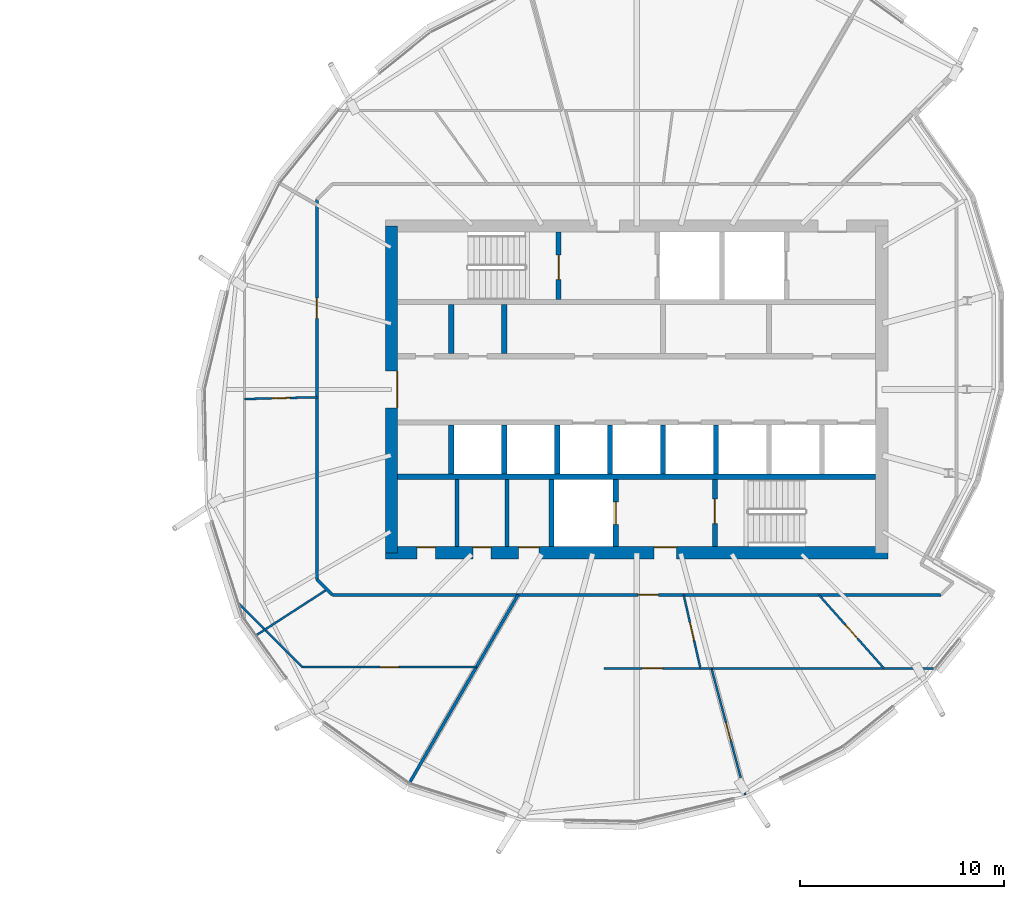
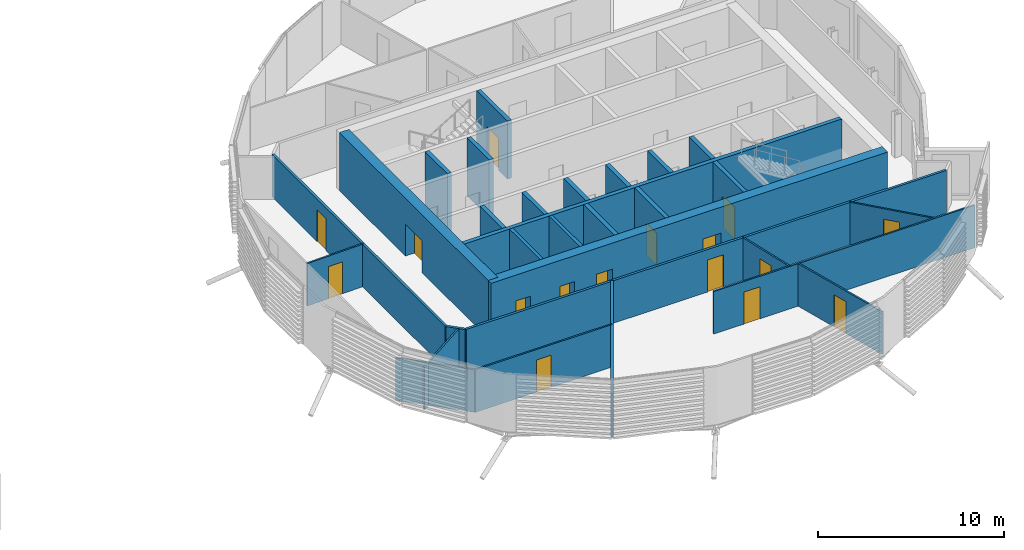
# One storey, part 22 of 37: 30 walls, 16 doors, 16 openings.
"""IFC4 building model written with IfcOpenShell, lengths in metres."""

from ifc_helpers import new_model, si_unit, direction, frame, frame_2d, origin, place, context, subcontext, project, spatial, rectangle, extrude, material, layer, layer_set, type_object, element, fill, save


model = new_model("IFC4")

# Units and contexts
model_context = context("Model", 3, precision=1e-05, world=origin(), true_north=direction((0.0, 1.0)))
body_context = subcontext(model_context, "Body", "Model", "MODEL_VIEW")
ifc_project = project(units=[si_unit("LENGTHUNIT", "METRE"), si_unit("AREAUNIT", "SQUARE_METRE"), si_unit("VOLUMEUNIT", "CUBIC_METRE"), si_unit("PLANEANGLEUNIT", "RADIAN"), si_unit("MASSUNIT", "GRAM", prefix="KILO")], contexts=[model_context])

# Site, building, storey
site_placement = place(None, origin())
site = spatial("IfcSite", under=ifc_project, at=site_placement, CompositionType="ELEMENT")
building_placement = place(site_placement, origin())
building = spatial("IfcBuilding", under=site, at=building_placement, Name="Rimbun Link Towers", CompositionType="ELEMENT")
storey_placement = place(building_placement, frame((0.0, 0.0, 162.699951171875)))
storey = spatial("IfcBuildingStorey", under=building, at=storey_placement, Name="L39", CompositionType="ELEMENT", Elevation=162.699951171875)

# Walls
ifc_material_1 = material(Name="Masonry blockwork", Category="masonry")
ifc_layer_1 = layer(ifc_material_1, 0.199951171875)
ifc_layer_set_1 = layer_set([ifc_layer_1], Name="Core partition 200")
wall_type_1 = type_object("IfcWallType", Name="Core partition 200", PredefinedType="PARTITIONING", material=ifc_layer_set_1)
for number, where, z_axis, x_axis, name in (
    (1, (22.949951171875, -4.39990234375, 0.0), (0.0, 0.0, 1.0), (0.0, -1.0, 0.0), "L39 T2 core wall C1"),
    (2, (25.39990234375, -4.39990234375, 0.0), (0.0, 0.0, 1.0), (0.0, -1.0, 0.0), "L39 T2 core wall C2"),
):
    element("IfcWall", number, at=place(storey_placement, frame(where, z_axis=z_axis, x_axis=x_axis)), inside=storey, type_object=wall_type_1, Name=name, PredefinedType="PARTITIONING", context=body_context, shape_type="SweptSolid", body=[
        extrude(rectangle(XDim=3.300048828125, YDim=0.199951171875, at=frame_2d((1.64990234375, 0.0))), origin(), (0.0, 0.0, 1.0), 3.800048828125),
    ])

# Wall, openings, doors
ifc_material_2 = material(Name="Concrete C60/75", Category="concrete")
ifc_layer_2 = layer(ifc_material_2, 0.60009765625)
ifc_layer_set_2 = layer_set([ifc_layer_2], Name="Core shear wall 600")
wall_type_2 = type_object("IfcWallType", Name="Core shear wall 600", PredefinedType="SHEAR", material=ifc_layer_set_2)
wall_1_placement = place(storey_placement, frame((19.449951171875, -8.0, 0.0), z_axis=(0.0, 0.0, 1.0), x_axis=(1.0, 0.0, 0.0)))
wall_1 = element("IfcWall", 3, at=wall_1_placement, inside=storey, type_object=wall_type_2, Name="L39 T2 core wall S", PredefinedType="SHEAR", context=body_context, shape_type="SweptSolid", body=[
    extrude(rectangle(XDim=24.60009765625, YDim=0.60009765625, at=frame_2d((12.300048828125, 0.0))), origin(), (0.0, 0.0, 1.0), 3.800048828125),
])
opening_1_placement = place(wall_1_placement, frame((13.14990234375, 0.0, 0.0)))
opening_1 = element("IfcOpeningElement", 4, at=opening_1_placement, cuts=wall_1, Name="Opening C2DCF01S", PredefinedType="OPENING", context=body_context, shape_type="SweptSolid", body=[
    extrude(rectangle(XDim=1.10009765625, YDim=2.10009765625, at=frame_2d((0.550048828125, 1.050048828125))), frame((0.0, 0.31005859375, 0.0), z_axis=(0.0, -1.0, 0.0), x_axis=(1.0, 0.0, 0.0)), (0.0, 0.0, 1.0), 0.6201171875),
])
opening_2_placement = place(wall_1_placement, frame((1.550048828125, 0.0, 0.0)))
opening_2 = element("IfcOpeningElement", 5, at=opening_2_placement, cuts=wall_1, Name="Opening C2DWC02S", PredefinedType="OPENING", context=body_context, shape_type="SweptSolid", body=[
    extrude(rectangle(XDim=0.89990234375, YDim=2.10009765625, at=frame_2d((0.449951171875, 1.050048828125))), frame((0.0, 0.31005859375, 0.0), z_axis=(0.0, -1.0, 0.0), x_axis=(1.0, 0.0, 0.0)), (0.0, 0.0, 1.0), 0.6201171875),
])
opening_3_placement = place(wall_1_placement, frame((4.27490234375, 0.0, 0.0)))
opening_3 = element("IfcOpeningElement", 6, at=opening_3_placement, cuts=wall_1, Name="Opening C2DWC03S", PredefinedType="OPENING", context=body_context, shape_type="SweptSolid", body=[
    extrude(rectangle(XDim=0.89990234375, YDim=2.10009765625, at=frame_2d((0.449951171875, 1.050048828125))), frame((0.0, 0.31005859375, 0.0), z_axis=(0.0, -1.0, 0.0), x_axis=(1.0, 0.0, 0.0)), (0.0, 0.0, 1.0), 0.6201171875),
])
opening_4_placement = place(wall_1_placement, frame((6.52490234375, 0.0, 0.0)))
opening_4 = element("IfcOpeningElement", 7, at=opening_4_placement, cuts=wall_1, Name="Opening C2DAW04S", PredefinedType="OPENING", context=body_context, shape_type="SweptSolid", body=[
    extrude(rectangle(XDim=1.0, YDim=2.10009765625, at=frame_2d((0.5, 1.050048828125))), frame((0.0, 0.31005859375, 0.0), z_axis=(0.0, -1.0, 0.0), x_axis=(1.0, 0.0, 0.0)), (0.0, 0.0, 1.0), 0.6201171875),
])
ifc_material_3 = material(Name="Timber", Category="wood")
door_type_1 = type_object("IfcDoorType", Name="Accessible WC door", OperationType="SINGLE_SWING_LEFT", PredefinedType="DOOR", material=ifc_material_3)
door_1_placement = place(opening_4_placement, origin())
door_1 = element("IfcDoor", 8, at=door_1_placement, inside=storey, type_object=door_type_1, Name="L39 T2 accessible wc door", OperationType="SINGLE_SWING_RIGHT", OverallHeight=2.10009765625, OverallWidth=1.0, PredefinedType="DOOR", context=body_context, shape_type="SweptSolid", body=[
    extrude(rectangle(XDim=1.0, YDim=2.10009765625, at=frame_2d((0.5, 1.050048828125))), frame((0.0, 0.2998046875, 0.0), z_axis=(0.0, -1.0, 0.0), x_axis=(1.0, 0.0, 0.0)), (0.0, 0.0, 1.0), 0.050048828125),
])
fill(opening_4, door_1)
ifc_material_4 = material(Name="Steel fire door set", Category="steel")
door_type_2 = type_object("IfcDoorType", Name="Core fire door single", OperationType="SINGLE_SWING_LEFT", PredefinedType="DOOR", material=ifc_material_4)
door_2_placement = place(opening_1_placement, origin())
door_2 = element("IfcDoor", 9, at=door_2_placement, inside=storey, type_object=door_type_2, Name="L39 T2 firefighting lobby s door", OperationType="SINGLE_SWING_RIGHT", OverallHeight=2.10009765625, OverallWidth=1.10009765625, PredefinedType="DOOR", context=body_context, shape_type="SweptSolid", body=[
    extrude(rectangle(XDim=1.10009765625, YDim=2.10009765625, at=frame_2d((0.550048828125, 1.050048828125))), frame((0.0, 0.2998046875, 0.0), z_axis=(0.0, -1.0, 0.0), x_axis=(1.0, 0.0, 0.0)), (0.0, 0.0, 1.0), 0.050048828125),
])
fill(opening_1, door_2)
ifc_material_5 = material(Name="Timber", Category="wood")
door_type_3 = type_object("IfcDoorType", Name="WC door", OperationType="SINGLE_SWING_LEFT", PredefinedType="DOOR", material=ifc_material_5)
door_3_placement = place(opening_2_placement, origin())
door_3 = element("IfcDoor", 10, at=door_3_placement, inside=storey, type_object=door_type_3, Name="L39 T2 male wc door", OperationType="SINGLE_SWING_LEFT", OverallHeight=2.10009765625, OverallWidth=0.89990234375, PredefinedType="DOOR", context=body_context, shape_type="SweptSolid", body=[
    extrude(rectangle(XDim=0.89990234375, YDim=2.10009765625, at=frame_2d((0.449951171875, 1.050048828125))), frame((0.0, 0.2998046875, 0.0), z_axis=(0.0, -1.0, 0.0), x_axis=(1.0, 0.0, 0.0)), (0.0, 0.0, 1.0), 0.050048828125),
])
fill(opening_2, door_3)
door_4_placement = place(opening_3_placement, origin())
door_4 = element("IfcDoor", 11, at=door_4_placement, inside=storey, type_object=door_type_3, Name="L39 T2 female wc door", OperationType="SINGLE_SWING_RIGHT", OverallHeight=2.10009765625, OverallWidth=0.89990234375, PredefinedType="DOOR", context=body_context, shape_type="SweptSolid", body=[
    extrude(rectangle(XDim=0.89990234375, YDim=2.10009765625, at=frame_2d((0.449951171875, 1.050048828125))), frame((0.0, 0.2998046875, 0.0), z_axis=(0.0, -1.0, 0.0), x_axis=(1.0, 0.0, 0.0)), (0.0, 0.0, 1.0), 0.050048828125),
])
fill(opening_3, door_4)

# Wall, opening, door
wall_2_placement = place(storey_placement, frame((19.75, -8.0, 0.0), z_axis=(0.0, 0.0, 1.0), x_axis=(0.0, 1.0, 0.0)))
wall_2 = element("IfcWall", 12, at=wall_2_placement, inside=storey, type_object=wall_type_2, Name="L39 T2 core wall W", PredefinedType="SHEAR", context=body_context, shape_type="SweptSolid", body=[
    extrude(rectangle(XDim=16.0, YDim=0.60009765625, at=frame_2d((8.0, 0.0))), origin(), (0.0, 0.0, 1.0), 3.800048828125),
])
opening_5_placement = place(wall_2_placement, frame((7.10009765625, 0.0, 0.0)))
opening_5 = element("IfcOpeningElement", 13, at=opening_5_placement, cuts=wall_2, Name="Opening C2DCL01W", PredefinedType="OPENING", context=body_context, shape_type="SweptSolid", body=[
    extrude(rectangle(XDim=1.800048828125, YDim=2.10009765625, at=frame_2d((0.89990234375, 1.050048828125))), frame((0.0, 0.31005859375, 0.0), z_axis=(0.0, -1.0, 0.0), x_axis=(1.0, 0.0, 0.0)), (0.0, 0.0, 1.0), 0.6201171875),
])
ifc_material_6 = material(Name="Steel fire door set", Category="steel")
door_type_4 = type_object("IfcDoorType", Name="Core lobby door double", OperationType="DOUBLE_DOOR_SINGLE_SWING", PredefinedType="DOOR", material=ifc_material_6)
door_5_placement = place(opening_5_placement, origin())
door_5 = element("IfcDoor", 14, at=door_5_placement, inside=storey, type_object=door_type_4, Name="L39 T2 lift lobby door", OperationType="DOUBLE_DOOR_SINGLE_SWING", OverallHeight=2.10009765625, OverallWidth=1.800048828125, PredefinedType="DOOR", context=body_context, shape_type="SweptSolid", body=[
    extrude(rectangle(XDim=1.800048828125, YDim=2.10009765625, at=frame_2d((0.89990234375, 1.050048828125))), frame((0.0, -0.25, 0.0), z_axis=(0.0, -1.0, 0.0), x_axis=(1.0, 0.0, 0.0)), (0.0, 0.0, 1.0), 0.050048828125),
])
fill(opening_5, door_5)

ifc_material_7 = material(Name="Plasterboard on steel stud, mineral wool", Category="steel")
ifc_layer_3 = layer(ifc_material_7, 0.14990234375)
ifc_layer_set_3 = layer_set([ifc_layer_3], Name="Corridor wall EI 30 150 mm")
wall_type_3 = type_object("IfcWallType", Name="Corridor wall EI 30 150 mm", PredefinedType="PARTITIONING", material=ifc_layer_set_3)
wall_3_placement = place(storey_placement, frame((46.643798828125, -10.054931640625, 0.0), z_axis=(0.0, 0.0, 1.0), x_axis=(-1.0, 0.0, 0.0)))
wall_3 = element("IfcWall", 15, at=wall_3_placement, inside=storey, type_object=wall_type_3, Name="Corridor wall EI 30 150 mm", PredefinedType="PARTITIONING", context=body_context, shape_type="SweptSolid", body=[
    extrude(rectangle(XDim=29.78759765625, YDim=0.14990234375, at=frame_2d((14.893798828125, 0.0))), origin(), (0.0, 0.0, 1.0), 2.7890625),
])
opening_6_placement = place(wall_3_placement, frame((13.826416015625, 0.0, 0.0)))
opening_6 = element("IfcOpeningElement", 16, at=opening_6_placement, cuts=wall_3, Name="Opening D01", PredefinedType="OPENING", context=body_context, shape_type="SweptSolid", body=[
    extrude(rectangle(XDim=1.0, YDim=2.10009765625, at=frame_2d((0.5, 1.050048828125))), frame((0.0, 0.0849609375, 0.0), z_axis=(0.0, -1.0, 0.0), x_axis=(1.0, 0.0, 0.0)), (0.0, 0.0, 1.0), 0.169921875),
])
ifc_material_8 = material(Name="Fire-resisting timber door leaf", Category="wood")
door_type_5 = type_object("IfcDoorType", Name="Fire door FD30S 1000", OperationType="NOTDEFINED", PredefinedType="DOOR", material=ifc_material_8)
door_6_placement = place(opening_6_placement, origin())
door_6 = element("IfcDoor", 17, at=door_6_placement, inside=storey, type_object=door_type_5, Name="Fire door FD30S 1000 to Tenant lobby", OperationType="SINGLE_SWING_RIGHT", OverallHeight=2.10009765625, OverallWidth=1.0, PredefinedType="DOOR", context=body_context, shape_type="SweptSolid", body=[
    extrude(rectangle(XDim=1.0, YDim=2.10009765625, at=frame_2d((0.5, 1.050048828125))), frame((0.0, 0.02490234375, 0.0), z_axis=(0.0, -1.0, 0.0), x_axis=(1.0, 0.0, 0.0)), (0.0, 0.0, 1.0), 0.050048828125),
])
fill(opening_6, door_6)

# Wall
wall_4_placement = place(storey_placement, frame((16.094970703125, -9.293701171875, 0.0), z_axis=(0.0, 0.0, 1.0), x_axis=(0.707106781187, -0.707106781187, 0.0)))
element("IfcWall", 18, at=wall_4_placement, inside=storey, type_object=wall_type_3, Name="Corridor wall EI 30 150 mm", PredefinedType="PARTITIONING", context=body_context, shape_type="SweptSolid", body=[
    extrude(rectangle(XDim=1.07666015625, YDim=0.14990234375, at=frame_2d((0.538330078125, 0.0))), origin(), (0.0, 0.0, 1.0), 2.7890625),
])

# Wall, opening, door
wall_5_placement = place(storey_placement, frame((16.094970703125, -9.293701171875, 0.0), z_axis=(0.0, 0.0, 1.0), x_axis=(0.0, 1.0, 0.0)))
wall_5 = element("IfcWall", 19, at=wall_5_placement, inside=storey, type_object=wall_type_3, Name="Corridor wall EI 30 150 mm", PredefinedType="PARTITIONING", context=body_context, shape_type="SweptSolid", body=[
    extrude(rectangle(XDim=18.58740234375, YDim=0.14990234375, at=frame_2d((9.293701171875, 0.0))), origin(), (0.0, 0.0, 1.0), 2.7890625),
])
opening_7_placement = place(wall_5_placement, frame((12.767333984375, 0.0, 0.0)))
opening_7 = element("IfcOpeningElement", 20, at=opening_7_placement, cuts=wall_5, Name="Opening D01", PredefinedType="OPENING", context=body_context, shape_type="SweptSolid", body=[
    extrude(rectangle(XDim=1.0, YDim=2.10009765625, at=frame_2d((0.5, 1.050048828125))), frame((0.0, 0.0849609375, 0.0), z_axis=(0.0, -1.0, 0.0), x_axis=(1.0, 0.0, 0.0)), (0.0, 0.0, 1.0), 0.169921875),
])
door_7_placement = place(opening_7_placement, origin())
door_7 = element("IfcDoor", 21, at=door_7_placement, inside=storey, type_object=door_type_5, Name="Fire door FD30S 1000 to Tenant lobby", OperationType="SINGLE_SWING_LEFT", OverallHeight=2.10009765625, OverallWidth=1.0, PredefinedType="DOOR", context=body_context, shape_type="SweptSolid", body=[
    extrude(rectangle(XDim=1.0, YDim=2.10009765625, at=frame_2d((0.5, 1.050048828125))), frame((0.0, 0.02490234375, 0.0), z_axis=(0.0, -1.0, 0.0), x_axis=(1.0, 0.0, 0.0)), (0.0, 0.0, 1.0), 0.050048828125),
])
fill(opening_7, door_7)

ifc_material_9 = material(Name="Plasterboard on steel stud", Category="steel")
ifc_layer_4 = layer(ifc_material_9, 0.10009765625)
ifc_layer_set_4 = layer_set([ifc_layer_4], Name="Plasterboard partition 100 mm")
wall_type_4 = type_object("IfcWallType", Name="Plasterboard partition 100 mm", PredefinedType="PARTITIONING", material=ifc_layer_set_4)
wall_6_placement = place(storey_placement, frame((16.094970703125, -0.382568359375, 0.0), z_axis=(0.0, 0.0, 1.0), x_axis=(-0.999702116508, -0.024406520638, 0.0)))
wall_6 = element("IfcWall", 22, at=wall_6_placement, inside=storey, type_object=wall_type_4, Name="Plasterboard partition 100 mm", PredefinedType="PARTITIONING", context=body_context, shape_type="SweptSolid", body=[
    extrude(rectangle(XDim=3.541015625, YDim=0.10009765625, at=frame_2d((1.7705078125, 0.0))), origin(), (0.0, 0.0, 1.0), 2.7890625),
])
opening_8_placement = place(wall_6_placement, frame((1.320556640625, 0.0, 0.0)))
opening_8 = element("IfcOpeningElement", 23, at=opening_8_placement, cuts=wall_6, Name="Opening D04", PredefinedType="OPENING", context=body_context, shape_type="SweptSolid", body=[
    extrude(rectangle(XDim=0.89990234375, YDim=2.10009765625, at=frame_2d((0.449951171875, 1.050048828125))), frame((0.0, 0.06005859375, 0.0), z_axis=(0.0, -1.0, 0.0), x_axis=(1.0, 0.0, 0.0)), (0.0, 0.0, 1.0), 0.1201171875),
])
ifc_material_10 = material(Name="Timber door leaf", Category="wood")
door_type_6 = type_object("IfcDoorType", Name="Flush door 900", OperationType="NOTDEFINED", PredefinedType="DOOR", material=ifc_material_10)
door_8_placement = place(opening_8_placement, origin())
door_8 = element("IfcDoor", 24, at=door_8_placement, inside=storey, type_object=door_type_6, Name="Flush door 900 to Data room", OperationType="SINGLE_SWING_LEFT", OverallHeight=2.10009765625, OverallWidth=0.89990234375, PredefinedType="DOOR", context=body_context, shape_type="SweptSolid", body=[
    extrude(rectangle(XDim=0.89990234375, YDim=2.10009765625, at=frame_2d((0.449951171875, 1.050048828125))), frame((0.0, 0.02490234375, 0.0), z_axis=(0.0, -1.0, 0.0), x_axis=(1.0, 0.0, 0.0)), (0.0, 0.0, 1.0), 0.050048828125),
])
fill(opening_8, door_8)

# Walls
wall_7_placement = place(storey_placement, frame((13.1201171875, -12.036376953125, 0.0), z_axis=(0.0, 0.0, 1.0), x_axis=(0.83993902528, 0.54268078445, 0.0)))
element("IfcWall", 25, at=wall_7_placement, inside=storey, type_object=wall_type_4, Name="Plasterboard partition 100 mm", PredefinedType="PARTITIONING", context=body_context, shape_type="SweptSolid", body=[
    extrude(rectangle(XDim=4.13525390625, YDim=0.10009765625, at=frame_2d((2.067626953125, 0.0))), origin(), (0.0, 0.0, 1.0), 2.7890625),
])
wall_8_placement = place(storey_placement, frame((12.269775390625, -10.474853515625, 0.0), z_axis=(0.0, 0.0, 1.0), x_axis=(0.707079117143, -0.707134444148, 0.0)))
element("IfcWall", 26, at=wall_8_placement, inside=storey, type_object=wall_type_4, Name="Plasterboard partition 100 mm", PredefinedType="PARTITIONING", context=body_context, shape_type="SweptSolid", body=[
    extrude(rectangle(XDim=4.41259765625, YDim=0.10009765625, at=frame_2d((2.206298828125, 0.0))), origin(), (0.0, 0.0, 1.0), 2.7890625),
])

# Wall, opening, door
wall_9_placement = place(storey_placement, frame((15.389892578125, -13.594970703125, 0.0), z_axis=(0.0, 0.0, 1.0), x_axis=(1.0, 0.0, 0.0)))
wall_9 = element("IfcWall", 27, at=wall_9_placement, inside=storey, type_object=wall_type_4, Name="Plasterboard partition 100 mm", PredefinedType="PARTITIONING", context=body_context, shape_type="SweptSolid", body=[
    extrude(rectangle(XDim=8.510986328125, YDim=0.10009765625, at=frame_2d((4.25537109375, 0.0))), origin(), (0.0, 0.0, 1.0), 2.7890625),
])
opening_9_placement = place(wall_9_placement, frame((3.805419921875, 0.0, 0.0)))
opening_9 = element("IfcOpeningElement", 28, at=opening_9_placement, cuts=wall_9, Name="Opening D04", PredefinedType="OPENING", context=body_context, shape_type="SweptSolid", body=[
    extrude(rectangle(XDim=0.89990234375, YDim=2.10009765625, at=frame_2d((0.449951171875, 1.050048828125))), frame((0.0, 0.06005859375, 0.0), z_axis=(0.0, -1.0, 0.0), x_axis=(1.0, 0.0, 0.0)), (0.0, 0.0, 1.0), 0.1201171875),
])
door_9_placement = place(opening_9_placement, origin())
door_9 = element("IfcDoor", 29, at=door_9_placement, inside=storey, type_object=door_type_6, Name="Flush door 900 to Communications room", OperationType="SINGLE_SWING_RIGHT", OverallHeight=2.10009765625, OverallWidth=0.89990234375, PredefinedType="DOOR", context=body_context, shape_type="SweptSolid", body=[
    extrude(rectangle(XDim=0.89990234375, YDim=2.10009765625, at=frame_2d((0.449951171875, 1.050048828125))), frame((0.0, 0.02490234375, 0.0), z_axis=(0.0, -1.0, 0.0), x_axis=(1.0, 0.0, 0.0)), (0.0, 0.0, 1.0), 0.050048828125),
])
fill(opening_9, door_9)

wall_10_placement = place(storey_placement, frame((34.04833984375, -10.054931640625, 0.0), z_axis=(0.0, 0.0, 1.0), x_axis=(0.222792489794, -0.974865891542, 0.0)))
wall_10 = element("IfcWall", 30, at=wall_10_placement, inside=storey, type_object=wall_type_4, Name="Plasterboard partition 100 mm", PredefinedType="PARTITIONING", context=body_context, shape_type="SweptSolid", body=[
    extrude(rectangle(XDim=3.69287109375, YDim=0.10009765625, at=frame_2d((1.846435546875, 0.0))), origin(), (0.0, 0.0, 1.0), 2.7890625),
])
opening_10_placement = place(wall_10_placement, frame((1.396484375, 0.0, 0.0)))
opening_10 = element("IfcOpeningElement", 31, at=opening_10_placement, cuts=wall_10, Name="Opening D04", PredefinedType="OPENING", context=body_context, shape_type="SweptSolid", body=[
    extrude(rectangle(XDim=0.89990234375, YDim=2.10009765625, at=frame_2d((0.449951171875, 1.050048828125))), frame((0.0, 0.06005859375, 0.0), z_axis=(0.0, -1.0, 0.0), x_axis=(1.0, 0.0, 0.0)), (0.0, 0.0, 1.0), 0.1201171875),
])
door_10_placement = place(opening_10_placement, origin())
door_10 = element("IfcDoor", 32, at=door_10_placement, inside=storey, type_object=door_type_6, Name="Flush door 900 to Huddle room", OperationType="SINGLE_SWING_LEFT", OverallHeight=2.10009765625, OverallWidth=0.89990234375, PredefinedType="DOOR", context=body_context, shape_type="SweptSolid", body=[
    extrude(rectangle(XDim=0.89990234375, YDim=2.10009765625, at=frame_2d((0.449951171875, 1.050048828125))), frame((0.0, 0.02490234375, 0.0), z_axis=(0.0, -1.0, 0.0), x_axis=(1.0, 0.0, 0.0)), (0.0, 0.0, 1.0), 0.050048828125),
])
fill(opening_10, door_10)

wall_11_placement = place(storey_placement, frame((35.40869140625, -13.655029296875, 0.0), z_axis=(0.0, 0.0, 1.0), x_axis=(-1.0, 0.0, 0.0)))
wall_11 = element("IfcWall", 33, at=wall_11_placement, inside=storey, type_object=wall_type_4, Name="Plasterboard partition 100 mm", PredefinedType="PARTITIONING", context=body_context, shape_type="SweptSolid", body=[
    extrude(rectangle(XDim=5.269287109375, YDim=0.10009765625, at=frame_2d((2.634765625, 0.0))), origin(), (0.0, 0.0, 1.0), 2.7890625),
])
opening_11_placement = place(wall_11_placement, frame((2.388427734375, 0.0, 0.0)))
opening_11 = element("IfcOpeningElement", 34, at=opening_11_placement, cuts=wall_11, Name="Opening D03", PredefinedType="OPENING", context=body_context, shape_type="SweptSolid", body=[
    extrude(rectangle(XDim=1.0, YDim=2.10009765625, at=frame_2d((0.5, 1.050048828125))), frame((0.0, 0.06005859375, 0.0), z_axis=(0.0, -1.0, 0.0), x_axis=(1.0, 0.0, 0.0)), (0.0, 0.0, 1.0), 0.1201171875),
])
ifc_material_11 = material(Name="Timber door leaf", Category="wood")
door_type_7 = type_object("IfcDoorType", Name="Flush door 1000", OperationType="NOTDEFINED", PredefinedType="DOOR", material=ifc_material_11)
door_11_placement = place(opening_11_placement, origin())
door_11 = element("IfcDoor", 35, at=door_11_placement, inside=storey, type_object=door_type_7, Name="Flush door 1000 to Open office", OperationType="SINGLE_SWING_RIGHT", OverallHeight=2.10009765625, OverallWidth=1.0, PredefinedType="DOOR", context=body_context, shape_type="SweptSolid", body=[
    extrude(rectangle(XDim=1.0, YDim=2.10009765625, at=frame_2d((0.5, 1.050048828125))), frame((0.0, 0.02490234375, 0.0), z_axis=(0.0, -1.0, 0.0), x_axis=(1.0, 0.0, 0.0)), (0.0, 0.0, 1.0), 0.050048828125),
])
fill(opening_11, door_11)

wall_12_placement = place(storey_placement, frame((40.6650390625, -10.054931640625, 0.0), z_axis=(0.0, 0.0, 1.0), x_axis=(0.663383723139, -0.748279383569, 0.0)))
wall_12 = element("IfcWall", 36, at=wall_12_placement, inside=storey, type_object=wall_type_4, Name="Plasterboard partition 100 mm", PredefinedType="PARTITIONING", context=body_context, shape_type="SweptSolid", body=[
    extrude(rectangle(XDim=4.811279296875, YDim=0.10009765625, at=frame_2d((2.40576171875, 0.0))), origin(), (0.0, 0.0, 1.0), 2.7890625),
])
opening_12_placement = place(wall_12_placement, frame((1.95556640625, 0.0, 0.0)))
opening_12 = element("IfcOpeningElement", 37, at=opening_12_placement, cuts=wall_12, Name="Opening D04", PredefinedType="OPENING", context=body_context, shape_type="SweptSolid", body=[
    extrude(rectangle(XDim=0.89990234375, YDim=2.10009765625, at=frame_2d((0.449951171875, 1.050048828125))), frame((0.0, 0.06005859375, 0.0), z_axis=(0.0, -1.0, 0.0), x_axis=(1.0, 0.0, 0.0)), (0.0, 0.0, 1.0), 0.1201171875),
])
door_12_placement = place(opening_12_placement, origin())
door_12 = element("IfcDoor", 38, at=door_12_placement, inside=storey, type_object=door_type_6, Name="Flush door 900 to Huddle room", OperationType="SINGLE_SWING_LEFT", OverallHeight=2.10009765625, OverallWidth=0.89990234375, PredefinedType="DOOR", context=body_context, shape_type="SweptSolid", body=[
    extrude(rectangle(XDim=0.89990234375, YDim=2.10009765625, at=frame_2d((0.449951171875, 1.050048828125))), frame((0.0, 0.02490234375, 0.0), z_axis=(0.0, -1.0, 0.0), x_axis=(1.0, 0.0, 0.0)), (0.0, 0.0, 1.0), 0.050048828125),
])
fill(opening_12, door_12)

# Wall
wall_13_placement = place(storey_placement, frame((35.40869140625, -13.655029296875, 0.0), z_axis=(0.0, 0.0, 1.0), x_axis=(1.0, 0.0, 0.0)))
element("IfcWall", 39, at=wall_13_placement, inside=storey, type_object=wall_type_4, Name="Plasterboard partition 100 mm", PredefinedType="PARTITIONING", context=body_context, shape_type="SweptSolid", body=[
    extrude(rectangle(XDim=10.918701171875, YDim=0.10009765625, at=frame_2d((5.45947265625, 0.0))), origin(), (0.0, 0.0, 1.0), 2.7890625),
])

# Wall, opening, door
wall_14_placement = place(storey_placement, frame((35.40869140625, -13.655029296875, 0.0), z_axis=(0.0, 0.0, 1.0), x_axis=(0.258831074452, -0.965922602954, 0.0)))
wall_14 = element("IfcWall", 40, at=wall_14_placement, inside=storey, type_object=wall_type_4, Name="Plasterboard partition 100 mm", PredefinedType="PARTITIONING", context=body_context, shape_type="SweptSolid", body=[
    extrude(rectangle(XDim=6.423583984375, YDim=0.10009765625, at=frame_2d((3.2119140625, 0.0))), origin(), (0.0, 0.0, 1.0), 2.7890625),
])
opening_13_placement = place(wall_14_placement, frame((2.76171875, 0.0, 0.0)))
opening_13 = element("IfcOpeningElement", 41, at=opening_13_placement, cuts=wall_14, Name="Opening D04", PredefinedType="OPENING", context=body_context, shape_type="SweptSolid", body=[
    extrude(rectangle(XDim=0.89990234375, YDim=2.10009765625, at=frame_2d((0.449951171875, 1.050048828125))), frame((0.0, 0.06005859375, 0.0), z_axis=(0.0, -1.0, 0.0), x_axis=(1.0, 0.0, 0.0)), (0.0, 0.0, 1.0), 0.1201171875),
])
door_13_placement = place(opening_13_placement, origin())
door_13 = element("IfcDoor", 42, at=door_13_placement, inside=storey, type_object=door_type_6, Name="Flush door 900 to Project room", OperationType="SINGLE_SWING_LEFT", OverallHeight=2.10009765625, OverallWidth=0.89990234375, PredefinedType="DOOR", context=body_context, shape_type="SweptSolid", body=[
    extrude(rectangle(XDim=0.89990234375, YDim=2.10009765625, at=frame_2d((0.449951171875, 1.050048828125))), frame((0.0, 0.02490234375, 0.0), z_axis=(0.0, -1.0, 0.0), x_axis=(1.0, 0.0, 0.0)), (0.0, 0.0, 1.0), 0.050048828125),
])
fill(opening_13, door_13)

# Walls
ifc_material_12 = material(Name="Concrete C60/75", Category="concrete")
ifc_layer_5 = layer(ifc_material_12, 0.25)
ifc_layer_set_5 = layer_set([ifc_layer_5], Name="Shaft wall 250")
wall_type_5 = type_object("IfcWallType", Name="Shaft wall 250", PredefinedType="SHEAR", material=ifc_layer_set_5)
wall_15_placement = place(storey_placement, frame((20.050048828125, -4.27490234375, 0.0), z_axis=(0.0, 0.0, 1.0), x_axis=(1.0, 0.0, 0.0)))
element("IfcWall", 43, at=wall_15_placement, inside=storey, type_object=wall_type_5, Name="L39 T2 core wall BS", PredefinedType="SHEAR", context=body_context, shape_type="SweptSolid", body=[
    extrude(rectangle(XDim=23.39990234375, YDim=0.25, at=frame_2d((11.699951171875, 0.0))), origin(), (0.0, 0.0, 1.0), 3.800048828125),
])
for number, where, z_axis, x_axis, name in (
    (44, (22.66943359375, 1.75, 0.0), (0.0, 0.0, 1.0), (0.0, 1.0, 0.0), "L39 T2 core wall DN0"),
    (45, (25.263916015625, 1.75, 0.0), (0.0, 0.0, 1.0), (0.0, 1.0, 0.0), "L39 T2 core wall DN1"),
    (46, (22.66943359375, -4.14990234375, 0.0), (0.0, 0.0, 1.0), (0.0, 1.0, 0.0), "L39 T2 core wall DS0"),
    (47, (25.263916015625, -4.14990234375, 0.0), (0.0, 0.0, 1.0), (0.0, 1.0, 0.0), "L39 T2 core wall DS1"),
    (48, (27.8583984375, -4.14990234375, 0.0), (0.0, 0.0, 1.0), (0.0, 1.0, 0.0), "L39 T2 core wall DS2"),
    (49, (30.452880859375, -4.14990234375, 0.0), (0.0, 0.0, 1.0), (0.0, 1.0, 0.0), "L39 T2 core wall DS3"),
    (50, (33.047119140625, -4.14990234375, 0.0), (0.0, 0.0, 1.0), (0.0, 1.0, 0.0), "L39 T2 core wall DS4"),
    (51, (35.6416015625, -4.14990234375, 0.0), (0.0, 0.0, 1.0), (0.0, 1.0, 0.0), "L39 T2 core wall DS5"),
):
    element("IfcWall", number, at=place(storey_placement, frame(where, z_axis=z_axis, x_axis=x_axis)), inside=storey, type_object=wall_type_5, Name=name, PredefinedType="SHEAR", context=body_context, shape_type="SweptSolid", body=[
        extrude(rectangle(XDim=2.39990234375, YDim=0.25, at=frame_2d((1.199951171875, 0.0))), origin(), (0.0, 0.0, 1.0), 3.800048828125),
    ])

# Wall, opening, door
wall_16_placement = place(storey_placement, frame((27.925048828125, 4.39990234375, 0.0), z_axis=(0.0, 0.0, 1.0), x_axis=(0.0, 1.0, 0.0)))
wall_16 = element("IfcWall", 52, at=wall_16_placement, inside=storey, type_object=wall_type_5, Name="L39 T2 core wall A1", PredefinedType="SHEAR", context=body_context, shape_type="SweptSolid", body=[
    extrude(rectangle(XDim=3.300048828125, YDim=0.25, at=frame_2d((1.64990234375, 0.0))), origin(), (0.0, 0.0, 1.0), 3.800048828125),
])
opening_14_placement = place(wall_16_placement, frame((0.97509765625, 0.0, 0.0)))
opening_14 = element("IfcOpeningElement", 53, at=opening_14_placement, cuts=wall_16, Name="Opening C2DST01A1", PredefinedType="OPENING", context=body_context, shape_type="SweptSolid", body=[
    extrude(rectangle(XDim=1.199951171875, YDim=2.10009765625, at=frame_2d((0.60009765625, 1.050048828125))), frame((0.0, 0.135009765625, 0.0), z_axis=(0.0, -1.0, 0.0), x_axis=(1.0, 0.0, 0.0)), (0.0, 0.0, 1.0), 0.27001953125),
])
ifc_material_13 = material(Name="Steel fire door set", Category="steel")
door_type_8 = type_object("IfcDoorType", Name="Stair door", OperationType="SINGLE_SWING_LEFT", PredefinedType="DOOR", material=ifc_material_13)
door_14_placement = place(opening_14_placement, origin())
door_14 = element("IfcDoor", 54, at=door_14_placement, inside=storey, type_object=door_type_8, Name="L39 T2 stair a door", OperationType="SINGLE_SWING_RIGHT", OverallHeight=2.10009765625, OverallWidth=1.199951171875, PredefinedType="DOOR", context=body_context, shape_type="SweptSolid", body=[
    extrude(rectangle(XDim=1.199951171875, YDim=2.10009765625, at=frame_2d((0.60009765625, 1.050048828125))), frame((0.0, 0.02490234375, 0.0), z_axis=(0.0, -1.0, 0.0), x_axis=(1.0, 0.0, 0.0)), (0.0, 0.0, 1.0), 0.050048828125),
])
fill(opening_14, door_14)

wall_17_placement = place(storey_placement, frame((35.574951171875, -4.39990234375, 0.0), z_axis=(0.0, 0.0, 1.0), x_axis=(0.0, -1.0, 0.0)))
wall_17 = element("IfcWall", 55, at=wall_17_placement, inside=storey, type_object=wall_type_5, Name="L39 T2 core wall B1", PredefinedType="SHEAR", context=body_context, shape_type="SweptSolid", body=[
    extrude(rectangle(XDim=3.300048828125, YDim=0.25, at=frame_2d((1.64990234375, 0.0))), origin(), (0.0, 0.0, 1.0), 3.800048828125),
])
opening_15_placement = place(wall_17_placement, frame((0.97509765625, 0.0, 0.0)))
opening_15 = element("IfcOpeningElement", 56, at=opening_15_placement, cuts=wall_17, Name="Opening C2DST01B1", PredefinedType="OPENING", context=body_context, shape_type="SweptSolid", body=[
    extrude(rectangle(XDim=1.199951171875, YDim=2.10009765625, at=frame_2d((0.60009765625, 1.050048828125))), frame((0.0, 0.135009765625, 0.0), z_axis=(0.0, -1.0, 0.0), x_axis=(1.0, 0.0, 0.0)), (0.0, 0.0, 1.0), 0.27001953125),
])
door_15_placement = place(opening_15_placement, origin())
door_15 = element("IfcDoor", 57, at=door_15_placement, inside=storey, type_object=door_type_8, Name="L39 T2 stair b door", OperationType="SINGLE_SWING_RIGHT", OverallHeight=2.10009765625, OverallWidth=1.199951171875, PredefinedType="DOOR", context=body_context, shape_type="SweptSolid", body=[
    extrude(rectangle(XDim=1.199951171875, YDim=2.10009765625, at=frame_2d((0.60009765625, 1.050048828125))), frame((0.0, 0.02490234375, 0.0), z_axis=(0.0, -1.0, 0.0), x_axis=(1.0, 0.0, 0.0)), (0.0, 0.0, 1.0), 0.050048828125),
])
fill(opening_15, door_15)

wall_18_placement = place(storey_placement, frame((30.72509765625, -4.39990234375, 0.0), z_axis=(0.0, 0.0, 1.0), x_axis=(0.0, -1.0, 0.0)))
wall_18 = element("IfcWall", 58, at=wall_18_placement, inside=storey, type_object=wall_type_5, Name="L39 T2 core wall B2", PredefinedType="SHEAR", context=body_context, shape_type="SweptSolid", body=[
    extrude(rectangle(XDim=3.300048828125, YDim=0.25, at=frame_2d((1.64990234375, 0.0))), origin(), (0.0, 0.0, 1.0), 3.800048828125),
])
opening_16_placement = place(wall_18_placement, frame((1.10009765625, 0.0, 0.0)))
opening_16 = element("IfcOpeningElement", 59, at=opening_16_placement, cuts=wall_18, Name="Opening LD-T2-FF2", PredefinedType="OPENING", context=body_context, shape_type="SweptSolid", body=[
    extrude(rectangle(XDim=1.10009765625, YDim=2.10009765625, at=frame_2d((0.550048828125, 1.050048828125))), frame((0.0, 0.135009765625, 0.0), z_axis=(0.0, -1.0, 0.0), x_axis=(1.0, 0.0, 0.0)), (0.0, 0.0, 1.0), 0.27001953125),
])
ifc_material_14 = material(Name="Stainless steel grade 316", Category="steel")
door_type_9 = type_object("IfcDoorType", Name="Lift landing door", OperationType="DOUBLE_DOOR_SLIDING", PredefinedType="DOOR", material=ifc_material_14)
door_16_placement = place(opening_16_placement, origin())
door_16 = element("IfcDoor", 60, at=door_16_placement, inside=storey, type_object=door_type_9, Name="L39 T2 lift FF2 landing door", OperationType="DOUBLE_DOOR_SLIDING", OverallHeight=2.10009765625, OverallWidth=1.10009765625, PredefinedType="DOOR", context=body_context, shape_type="SweptSolid", body=[
    extrude(rectangle(XDim=1.10009765625, YDim=2.10009765625, at=frame_2d((0.550048828125, 1.050048828125))), frame((0.0, 0.02490234375, 0.0), z_axis=(0.0, -1.0, 0.0), x_axis=(1.0, 0.0, 0.0)), (0.0, 0.0, 1.0), 0.050048828125),
])
fill(opening_16, door_16)

# Walls
wall_19_placement = place(storey_placement, frame((27.574951171875, -4.39990234375, 0.0), z_axis=(0.0, 0.0, 1.0), x_axis=(0.0, -1.0, 0.0)))
element("IfcWall", 61, at=wall_19_placement, inside=storey, type_object=wall_type_5, Name="L39 T2 core wall B3", PredefinedType="SHEAR", context=body_context, shape_type="SweptSolid", body=[
    extrude(rectangle(XDim=3.300048828125, YDim=0.25, at=frame_2d((1.64990234375, 0.0))), origin(), (0.0, 0.0, 1.0), 3.800048828125),
])
ifc_material_15 = material(Name="Plasterboard on steel stud, mineral wool", Category="steel")
ifc_layer_6 = layer(ifc_material_15, 0.14990234375)
ifc_layer_set_6 = layer_set([ifc_layer_6], Name="Tenancy separation wall EI 60 150 mm")
wall_type_6 = type_object("IfcWallType", Name="Tenancy separation wall EI 60 150 mm", PredefinedType="PARTITIONING", material=ifc_layer_set_6)
wall_20_placement = place(storey_placement, frame((25.944580078125, -10.054931640625, 0.0), z_axis=(0.0, 0.0, 1.0), x_axis=(-0.499982733475, -0.866035372388, 0.0)))
element("IfcWall", 62, at=wall_20_placement, inside=storey, type_object=wall_type_6, Name="Tenancy separation wall EI 60 150 mm", PredefinedType="PARTITIONING", context=body_context, shape_type="SweptSolid", body=[
    extrude(rectangle(XDim=10.63671875, YDim=0.14990234375, at=frame_2d((5.318359375, 0.0))), origin(), (0.0, 0.0, 1.0), 2.7890625),
])

save(model, "model.ifc")
